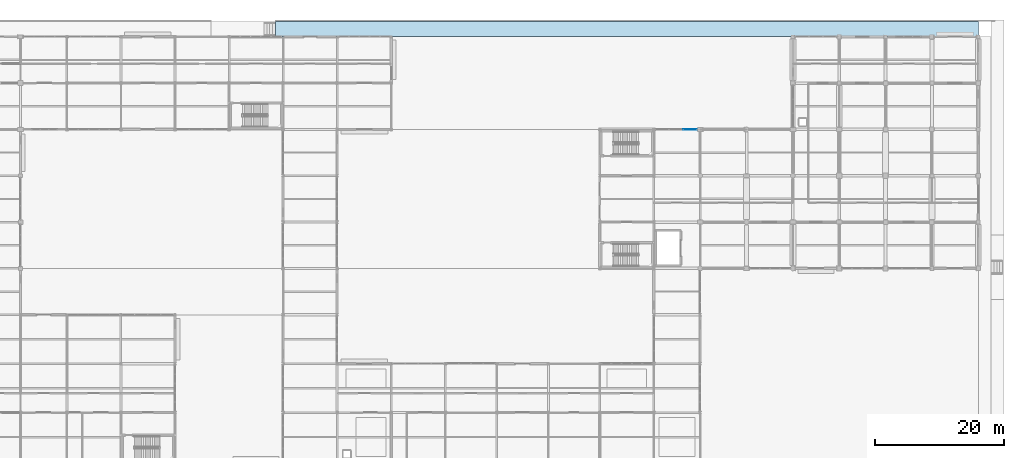
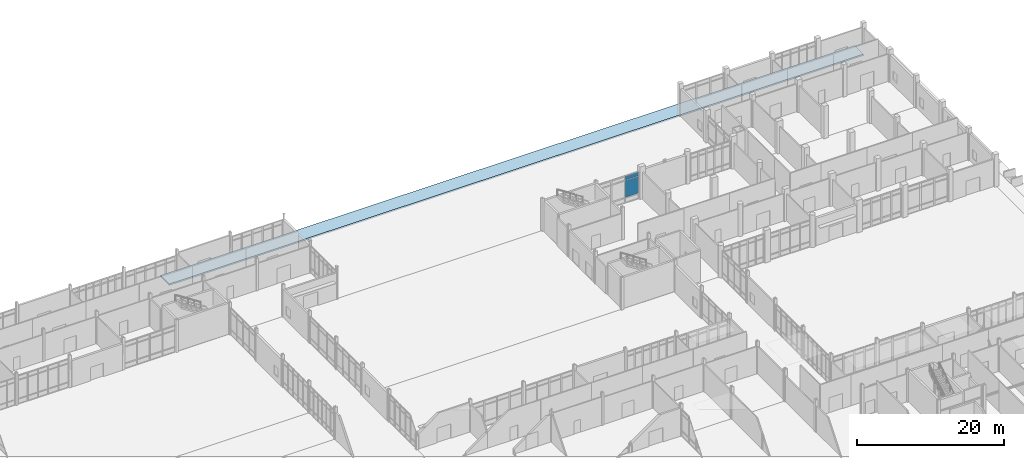
# One storey, part 153 of 229: 2 plates, 1 slab, 1 element without a shape of its own.
"""IFC4 building model written with IfcOpenShell, lengths in metres."""

from ifc_helpers import new_model, si_unit, direction, frame, origin, origin_2d, place, context, subcontext, project, spatial, polyline, rectangle, outline, extrude, material, layer, layer_set, type_object, element, aggregate, save


model = new_model("IFC4")

# Units and contexts
model_context = context("Model", 3, precision=1e-05, world=origin(), true_north=direction((0.0, 1.0)))
body_context = subcontext(model_context, "Body", "Model", "MODEL_VIEW")
ifc_project = project(units=[si_unit("LENGTHUNIT", "METRE"), si_unit("AREAUNIT", "SQUARE_METRE"), si_unit("VOLUMEUNIT", "CUBIC_METRE"), si_unit("PLANEANGLEUNIT", "RADIAN"), si_unit("MASSUNIT", "GRAM", prefix="KILO")], contexts=[model_context])

# Site, building, storey
site_placement = place(None, origin())
site = spatial("IfcSite", under=ifc_project, at=site_placement, CompositionType="ELEMENT")
building_placement = place(site_placement, origin())
building = spatial("IfcBuilding", under=site, at=building_placement, Name="Calvrana Isthmian Art Gallery", CompositionType="ELEMENT")
storey_placement = place(building_placement, origin())
storey = spatial("IfcBuildingStorey", under=building, at=storey_placement, Name="L00", CompositionType="ELEMENT", Elevation=0.0)

# Curtain wall, plates
ifc_material_1 = material(Name="Anodized bronze aluminium 6063-T6", Category="aluminium")
ifc_layer_1 = layer(ifc_material_1, 0.179931640625, Name="Anodized bronze aluminium 6063-T6")
ifc_layer_set_1 = layer_set([ifc_layer_1], Name="Anodized bronze aluminium 6063-T6")
curtain_wall_type = type_object("IfcCurtainWallType", Name="CW-STICK-066X45", PredefinedType="NOTDEFINED", material=ifc_layer_set_1)
curtain_wall_placement = place(storey_placement, origin())
curtain_wall = element("IfcCurtainWall", 1, at=curtain_wall_placement, inside=storey, type_object=curtain_wall_type, Name="Curtain wall CW-039", PredefinedType="NOTDEFINED")
ifc_material_2 = material(Name="Low-E laminated solar glass", Category="glass")
ifc_layer_2 = layer(ifc_material_2, 0.028076171875, Name="Low-E laminated solar glass")
ifc_layer_set_2 = layer_set([ifc_layer_2], Name="Low-E laminated solar glass")
plate_type = type_object("IfcPlateType", Name="CWP-VISION-28", PredefinedType="CURTAIN_PANEL", material=ifc_layer_set_2)
plate_1_placement = place(storey_placement, frame((118.4384765625, 98.39990234375, 0.9375), z_axis=(0.0, 0.0, 1.0), x_axis=(1.0, 0.0, 0.0)))
plate_1 = element("IfcPlate", 2, at=plate_1_placement, type_object=plate_type, Name="CW-039 panel 3.2", PredefinedType="CURTAIN_PANEL", context=body_context, shape_type="SweptSolid", body=[
    extrude(rectangle(XDim=2.082763671875, YDim=0.028076171875, at=origin_2d()), origin(), (0.0, 0.0, 1.0), 2.805908203125),
])
plate_2_placement = place(storey_placement, frame((118.4384765625, 98.39990234375, 3.818359375), z_axis=(0.0, 0.0, 1.0), x_axis=(1.0, 0.0, 0.0)))
plate_2 = element("IfcPlate", 3, at=plate_2_placement, type_object=plate_type, Name="CW-039 panel 3.3", PredefinedType="CURTAIN_PANEL", context=body_context, shape_type="SweptSolid", body=[
    extrude(rectangle(XDim=2.082763671875, YDim=0.028076171875, at=origin_2d()), origin(), (0.0, 0.0, 1.0), 0.637451171875),
])
aggregate(curtain_wall, [plate_1, plate_2])

# Slab
ifc_material_3 = material(Name="Concrete C40/50", Category="concrete")
ifc_layer_3 = layer(ifc_material_3, 0.199951171875, Name="Concrete C40/50")
ifc_layer_set_3 = layer_set([ifc_layer_3], Name="Concrete C40/50")
slab_type = type_object("IfcSlabType", Name="SLB-TER-200", PredefinedType="FLOOR", material=ifc_layer_set_3)
slab_placement = place(storey_placement, frame((0.0, 0.0, -0.25)))
element("IfcSlab", 4, at=slab_placement, inside=storey, type_object=slab_type, Name="Courtyard and entry plaza deck SLB_APR_NORTH_E", PredefinedType="FLOOR", context=body_context, shape_type="SweptSolid", body=[
    extrude(outline(polyline([(163.199951171875, 112.800048828125), (163.199951171875, 115.199951171875), (54.0, 115.199951171875), (54.0, 112.800048828125), (163.199951171875, 112.800048828125)])), origin(), (0.0, 0.0, 1.0), 0.25),
])

save(model, "model.ifc")
